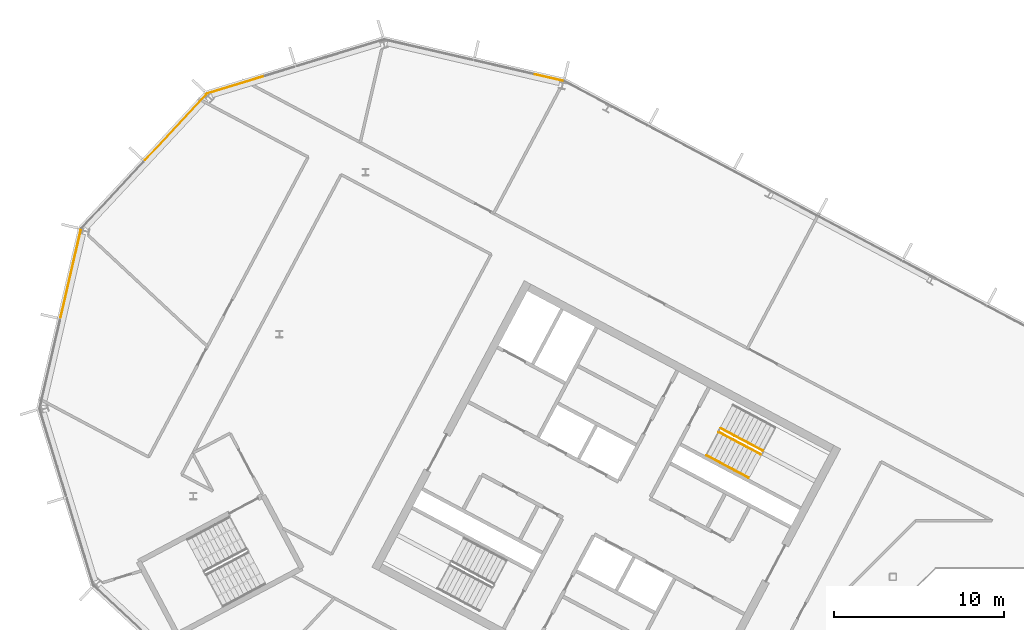
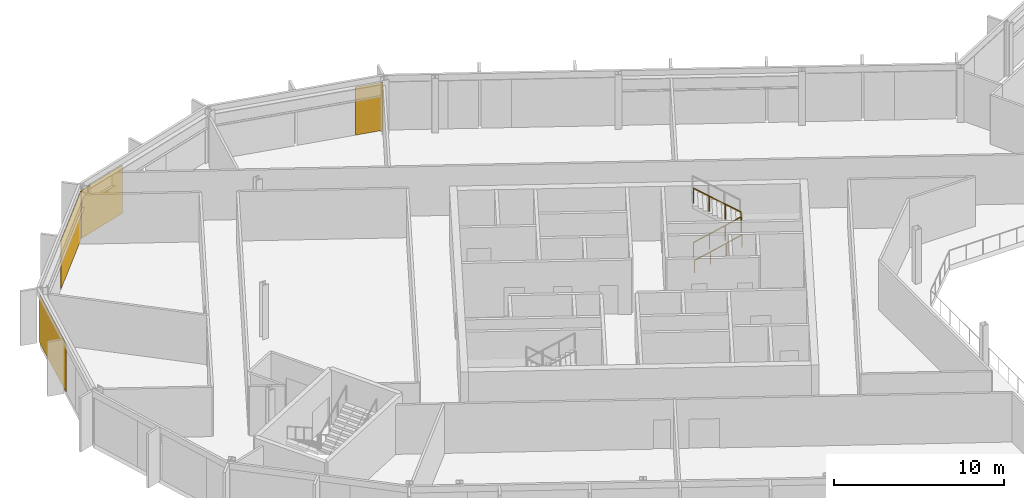
# One storey, part 21 of 25: 4 coverings, 3 railings, 4 elements without a shape of their own.
"""IFC4 building model written with IfcOpenShell, lengths in metres."""

from ifc_helpers import new_model, si_unit, direction, frame, origin, origin_2d, place, context, subcontext, project, spatial, polyline, rectangle, outline, extrude, material, layer, layer_set, type_object, element, aggregate, save


model = new_model("IFC4")

# Units and contexts
model_context = context("Model", 3, precision=1e-05, world=origin(), true_north=direction((0.0, 1.0)))
body_context = subcontext(model_context, "Body", "Model", "MODEL_VIEW")
ifc_project = project(units=[si_unit("LENGTHUNIT", "METRE"), si_unit("AREAUNIT", "SQUARE_METRE"), si_unit("VOLUMEUNIT", "CUBIC_METRE"), si_unit("PLANEANGLEUNIT", "RADIAN"), si_unit("MASSUNIT", "GRAM", prefix="KILO")], contexts=[model_context])

# Site, building, storey
site_placement = place(None, origin())
site = spatial("IfcSite", under=ifc_project, at=site_placement, CompositionType="ELEMENT")
building_placement = place(site_placement, origin())
building = spatial("IfcBuilding", under=site, at=building_placement, Name="Cormorant Relay Tower", CompositionType="ELEMENT")
storey_placement = place(building_placement, frame((0.0, 0.0, 273.60009765625)))
storey = spatial("IfcBuildingStorey", under=building, at=storey_placement, Name="L61", CompositionType="ELEMENT", Elevation=273.60009765625)

# Curtain wall, covering
ifc_material_1 = material(Name="Aluminium 6063-T6 anodised bronze", Category="aluminium")
ifc_layer_1 = layer(ifc_material_1, 0.199951171875)
ifc_layer_set_1 = layer_set([ifc_layer_1], Name="CW1 unitised bronze curtain wall with vertical fins")
curtain_wall_type = type_object("IfcCurtainWallType", Name="CW1 unitised bronze curtain wall with vertical fins", PredefinedType="NOTDEFINED", material=ifc_layer_set_1)
curtain_wall_1_placement = place(storey_placement, origin())
curtain_wall_1 = element("IfcCurtainWall", 1, at=curtain_wall_1_placement, inside=storey, type_object=curtain_wall_type, Name="CW1 curtain wall 10", PredefinedType="NOTDEFINED")
ifc_material_2 = material(Name="Pale bronze anodised aluminium insulated panel", Category="aluminium")
ifc_layer_2 = layer(ifc_material_2, 0.0400390625)
ifc_layer_set_2 = layer_set([ifc_layer_2], Name="CW1 pale bronze insulated panel 40")
covering_type = type_object("IfcCoveringType", Name="CW1 pale bronze insulated panel 40", PredefinedType="CLADDING", material=ifc_layer_set_2)
covering_1_placement = place(storey_placement, frame((-30.76318359375, 39.89404296875, 0.0), z_axis=(0.0, 0.0, 1.0), x_axis=(-0.974370064785, 0.224951054344, 0.0)))
covering_1 = element("IfcCovering", 2, at=covering_1_placement, type_object=covering_type, Name="CW1 panel S00", PredefinedType="CLADDING", context=body_context, shape_type="SweptSolid", body=[
    extrude(rectangle(XDim=1.685302734375, YDim=0.0400390625, at=origin_2d()), origin(), (0.0, 0.0, 1.0), 3.449951171875),
])
aggregate(curtain_wall_1, [covering_1])

curtain_wall_2_placement = place(storey_placement, origin())
curtain_wall_2 = element("IfcCurtainWall", 3, at=curtain_wall_2_placement, inside=storey, type_object=curtain_wall_type, Name="CW1 curtain wall 11", PredefinedType="NOTDEFINED")
covering_2_placement = place(storey_placement, frame((-49.16455078125, 39.474853515625, 0.0), z_axis=(0.0, 0.0, 1.0), x_axis=(-0.956304755963, -0.292371704723, 0.0)))
covering_2 = element("IfcCovering", 4, at=covering_2_placement, type_object=covering_type, Name="CW1 panel S03", PredefinedType="CLADDING", context=body_context, shape_type="SweptSolid", body=[
    extrude(rectangle(XDim=3.560302734375, YDim=0.0400390625, at=origin_2d()), origin(), (0.0, 0.0, 1.0), 3.449951171875),
])
aggregate(curtain_wall_2, [covering_2])

curtain_wall_3_placement = place(storey_placement, origin())
curtain_wall_3 = element("IfcCurtainWall", 5, at=curtain_wall_3_placement, inside=storey, type_object=curtain_wall_type, Name="CW1 curtain wall 12", PredefinedType="NOTDEFINED")
covering_3_placement = place(storey_placement, frame((-52.72900390625, 36.961181640625, 0.0), z_axis=(0.0, 0.0, 1.0), x_axis=(-0.681998360062, -0.731353701619, 0.0)))
covering_3 = element("IfcCovering", 6, at=covering_3_placement, type_object=covering_type, Name="CW1 panel S00", PredefinedType="CLADDING", context=body_context, shape_type="SweptSolid", body=[
    extrude(rectangle(XDim=5.28515625, YDim=0.0400390625, at=origin_2d()), origin(), (0.0, 0.0, 1.0), 3.449951171875),
])
aggregate(curtain_wall_3, [covering_3])

curtain_wall_4_placement = place(storey_placement, origin())
curtain_wall_4 = element("IfcCurtainWall", 7, at=curtain_wall_4_placement, inside=storey, type_object=curtain_wall_type, Name="CW1 curtain wall 13", PredefinedType="NOTDEFINED")
covering_4_placement = place(storey_placement, frame((-58.905517578125, 28.341796875, 0.0), z_axis=(0.0, 0.0, 1.0), x_axis=(-0.224951054344, -0.974370064785, 0.0)))
covering_4 = element("IfcCovering", 8, at=covering_4_placement, type_object=covering_type, Name="CW1 panel S00", PredefinedType="CLADDING", context=body_context, shape_type="SweptSolid", body=[
    extrude(rectangle(XDim=5.28515625, YDim=0.0400390625, at=origin_2d()), origin(), (0.0, 0.0, 1.0), 3.449951171875),
])
aggregate(curtain_wall_4, [covering_4])

# Railings
ifc_material_3 = material(Name="Steel ASTM A572 Grade 50 (Fy 345 MPa)", Category="steel")
railing_type_1 = type_object("IfcRailingType", Name="Stair guard 1100", PredefinedType="GUARDRAIL", material=ifc_material_3)
railing_1_placement = place(storey_placement, frame((-20.75048828125, 19.017822265625, 0.17724609375)))
element("IfcRailing", 9, at=railing_1_placement, inside=storey, type_object=railing_type_1, Name="L61 A1 stair guard 1", PredefinedType="GUARDRAIL", context=body_context, shape_type="SweptSolid", body=[
    extrude(outline(polyline([(0.022216796875, 0.00927734375), (0.00927734375, 0.022216796875), (-0.00927734375, 0.022216796875), (-0.022216796875, 0.00927734375), (-0.022216796875, -0.00927734375), (-0.00927734375, -0.022216796875), (0.00927734375, -0.022216796875), (0.022216796875, -0.00927734375), (0.022216796875, 0.00927734375)])), frame((0.0, 0.0, 1.076171875), z_axis=(0.746001213114, -0.396649272309, 0.534931345884), x_axis=(0.469465464807, 0.882950835185, 0.0)), (0.0, 0.0, 1.0), 3.31396484375),
    extrude(outline(polyline([(0.019287109375, 0.008056640625), (0.008056640625, 0.019287109375), (-0.008056640625, 0.019287109375), (-0.019287109375, 0.008056640625), (-0.019287109375, -0.008056640625), (-0.008056640625, -0.019287109375), (0.008056640625, -0.019287109375), (0.019287109375, -0.008056640625), (0.019287109375, 0.008056640625)])), origin(), (0.0, 0.0, 1.0), 1.052001953125),
    extrude(outline(polyline([(0.019287109375, 0.008056640625), (0.008056640625, 0.019287109375), (-0.008056640625, 0.019287109375), (-0.019287109375, 0.008056640625), (-0.019287109375, -0.008056640625), (-0.008056640625, -0.019287109375), (0.008056640625, -0.019287109375), (0.019287109375, -0.008056640625), (0.019287109375, 0.008056640625)])), frame((0.823974609375, -0.438232421875, 0.5908203125)), (0.0, 0.0, 1.0), 1.052001953125),
    extrude(outline(polyline([(0.019287109375, 0.008056640625), (0.008056640625, 0.019287109375), (-0.008056640625, 0.019287109375), (-0.019287109375, 0.008056640625), (-0.019287109375, -0.008056640625), (-0.008056640625, -0.019287109375), (0.008056640625, -0.019287109375), (0.019287109375, -0.008056640625), (0.019287109375, 0.008056640625)])), frame((1.648193359375, -0.876220703125, 1.181884765625)), (0.0, 0.0, 1.0), 1.052001953125),
    extrude(outline(polyline([(0.019287109375, 0.008056640625), (0.008056640625, 0.019287109375), (-0.008056640625, 0.019287109375), (-0.019287109375, 0.008056640625), (-0.019287109375, -0.008056640625), (-0.008056640625, -0.019287109375), (0.008056640625, -0.019287109375), (0.019287109375, -0.008056640625), (0.019287109375, 0.008056640625)])), frame((2.47216796875, -1.314453125, 1.772705078125)), (0.0, 0.0, 1.0), 1.052001953125),
])
railing_2_placement = place(storey_placement, frame((-18.160888671875, 17.924072265625, 2.127197265625)))
element("IfcRailing", 10, at=railing_2_placement, inside=storey, type_object=railing_type_1, Name="L61 A1 stair guard 3", PredefinedType="GUARDRAIL", context=body_context, shape_type="SweptSolid", body=[
    extrude(outline(polyline([(0.022216796875, 0.00927734375), (0.00927734375, 0.022216796875), (-0.00927734375, 0.022216796875), (-0.022216796875, 0.00927734375), (-0.022216796875, -0.00927734375), (-0.00927734375, -0.022216796875), (0.00927734375, -0.022216796875), (0.022216796875, -0.00927734375), (0.022216796875, 0.00927734375)])), frame((0.0, 0.0, 1.076171875), z_axis=(-0.746033882577, 0.396627473466, 0.534901947407), x_axis=(-0.469429322983, -0.882970050864, 0.0)), (0.0, 0.0, 1.0), 3.31396484375),
    extrude(outline(polyline([(0.019287109375, 0.008056640625), (0.008056640625, 0.019287109375), (-0.008056640625, 0.019287109375), (-0.019287109375, 0.008056640625), (-0.019287109375, -0.008056640625), (-0.008056640625, -0.019287109375), (0.008056640625, -0.019287109375), (0.019287109375, -0.008056640625), (0.019287109375, 0.008056640625)])), origin(), (0.0, 0.0, 1.0), 1.052001953125),
    extrude(outline(polyline([(0.019287109375, 0.008056640625), (0.008056640625, 0.019287109375), (-0.008056640625, 0.019287109375), (-0.019287109375, 0.008056640625), (-0.019287109375, -0.008056640625), (-0.008056640625, -0.019287109375), (0.008056640625, -0.019287109375), (0.019287109375, -0.008056640625), (0.019287109375, 0.008056640625)])), frame((-0.82421875, 0.438232421875, 0.5908203125)), (0.0, 0.0, 1.0), 1.052001953125),
    extrude(outline(polyline([(0.019287109375, 0.008056640625), (0.008056640625, 0.019287109375), (-0.008056640625, 0.019287109375), (-0.019287109375, 0.008056640625), (-0.019287109375, -0.008056640625), (-0.008056640625, -0.019287109375), (0.008056640625, -0.019287109375), (0.019287109375, -0.008056640625), (0.019287109375, 0.008056640625)])), frame((-1.648193359375, 0.876220703125, 1.181884765625)), (0.0, 0.0, 1.0), 1.052001953125),
    extrude(outline(polyline([(0.019287109375, 0.008056640625), (0.008056640625, 0.019287109375), (-0.008056640625, 0.019287109375), (-0.019287109375, 0.008056640625), (-0.019287109375, -0.008056640625), (-0.008056640625, -0.019287109375), (0.008056640625, -0.019287109375), (0.019287109375, -0.008056640625), (0.019287109375, 0.008056640625)])), frame((-2.472412109375, 1.314453125, 1.772705078125)), (0.0, 0.0, 1.0), 1.052001953125),
])
ifc_material_4 = material(Name="Steel ASTM A572 Grade 50 (Fy 345 MPa)", Category="steel")
railing_type_2 = type_object("IfcRailingType", Name="Stair handrail 900", PredefinedType="HANDRAIL", material=ifc_material_4)
railing_3_placement = place(storey_placement, frame((-21.478271484375, 17.6494140625, 0.17724609375)))
element("IfcRailing", 11, at=railing_3_placement, inside=storey, type_object=railing_type_2, Name="L61 A1 stair handrail 1", PredefinedType="HANDRAIL", context=body_context, shape_type="SweptSolid", body=[
    extrude(outline(polyline([(0.022216796875, 0.00927734375), (0.00927734375, 0.022216796875), (-0.00927734375, 0.022216796875), (-0.022216796875, 0.00927734375), (-0.022216796875, -0.00927734375), (-0.00927734375, -0.022216796875), (0.00927734375, -0.022216796875), (0.022216796875, -0.00927734375), (0.022216796875, 0.00927734375)])), frame((0.0, 0.0, 0.8759765625), z_axis=(0.746012083385, -0.396689549623, 0.534886317514), x_axis=(0.469497295046, 0.882933910293, 0.0)), (0.0, 0.0, 1.0), 3.314208984375),
    extrude(outline(polyline([(0.019287109375, 0.008056640625), (0.008056640625, 0.019287109375), (-0.008056640625, 0.019287109375), (-0.019287109375, 0.008056640625), (-0.019287109375, -0.008056640625), (-0.008056640625, -0.019287109375), (0.008056640625, -0.019287109375), (0.019287109375, -0.008056640625), (0.019287109375, 0.008056640625)])), origin(), (0.0, 0.0, 1.0), 0.851806640625),
    extrude(outline(polyline([(0.019287109375, 0.008056640625), (0.008056640625, 0.019287109375), (-0.008056640625, 0.019287109375), (-0.019287109375, 0.008056640625), (-0.019287109375, -0.008056640625), (-0.008056640625, -0.019287109375), (0.008056640625, -0.019287109375), (0.019287109375, -0.008056640625), (0.019287109375, 0.008056640625)])), frame((0.82421875, -0.438232421875, 0.5908203125)), (0.0, 0.0, 1.0), 0.851806640625),
    extrude(outline(polyline([(0.019287109375, 0.008056640625), (0.008056640625, 0.019287109375), (-0.008056640625, 0.019287109375), (-0.019287109375, 0.008056640625), (-0.019287109375, -0.008056640625), (-0.008056640625, -0.019287109375), (0.008056640625, -0.019287109375), (0.019287109375, -0.008056640625), (0.019287109375, 0.008056640625)])), frame((1.648193359375, -0.87646484375, 1.181884765625)), (0.0, 0.0, 1.0), 0.851806640625),
    extrude(outline(polyline([(0.019287109375, 0.008056640625), (0.008056640625, 0.019287109375), (-0.008056640625, 0.019287109375), (-0.019287109375, 0.008056640625), (-0.019287109375, -0.008056640625), (-0.008056640625, -0.019287109375), (0.008056640625, -0.019287109375), (0.019287109375, -0.008056640625), (0.019287109375, 0.008056640625)])), frame((2.472412109375, -1.314697265625, 1.772705078125)), (0.0, 0.0, 1.0), 0.851806640625),
])

save(model, "model.ifc")
